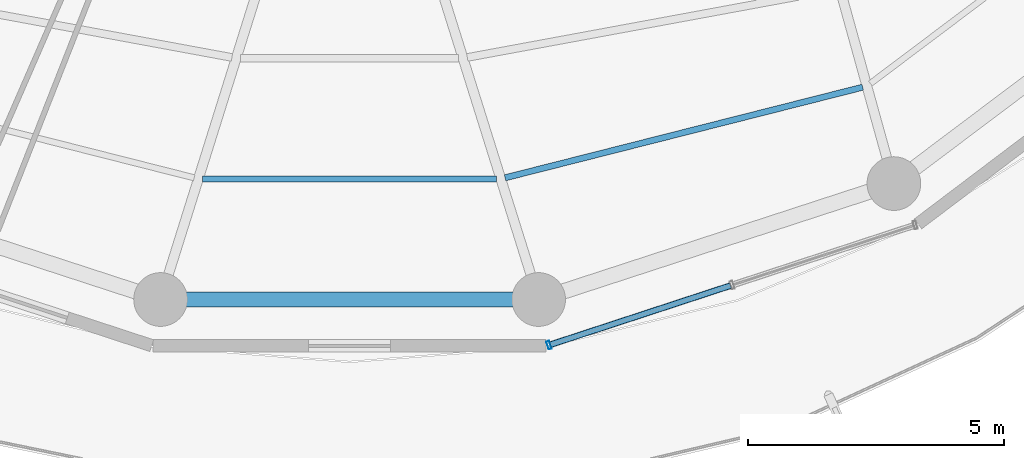
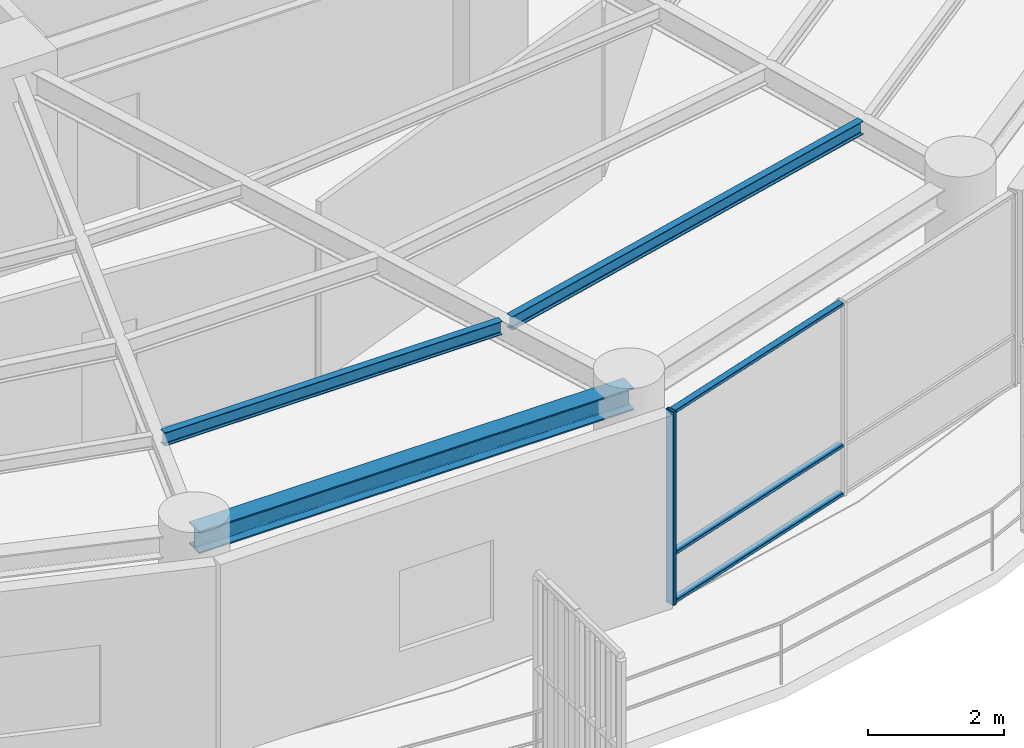
# One storey, part 4 of 31: 4 members, 3 beams, 1 element without a shape of its own.
"""IFC4 building model written with IfcOpenShell, lengths in metres."""

from ifc_helpers import new_model, si_unit, direction, frame, origin, origin_2d, place, context, subcontext, project, spatial, hollow_rectangle, i_section, extrude, material, layer, layer_set, material_profile, profile_set, type_object, element, aggregate, save


model = new_model("IFC4")

# Units and contexts
model_context = context("Model", 3, precision=1e-05, world=origin(), true_north=direction((0.0, 1.0)))
body_context = subcontext(model_context, "Body", "Model", "MODEL_VIEW")
ifc_project = project(units=[si_unit("LENGTHUNIT", "METRE"), si_unit("AREAUNIT", "SQUARE_METRE"), si_unit("VOLUMEUNIT", "CUBIC_METRE"), si_unit("PLANEANGLEUNIT", "RADIAN"), si_unit("MASSUNIT", "GRAM", prefix="KILO")], contexts=[model_context])

# Site, building, storey
site_placement = place(None, origin())
site = spatial("IfcSite", under=ifc_project, at=site_placement, CompositionType="ELEMENT")
building_placement = place(site_placement, origin())
building = spatial("IfcBuilding", under=site, at=building_placement, Name="Kelanora Arch Commons", CompositionType="ELEMENT")
storey_placement = place(building_placement, frame((0.0, 0.0, 230.699951171875)))
storey = spatial("IfcBuildingStorey", under=building, at=storey_placement, Name="L59", CompositionType="ELEMENT", Elevation=230.699951171875)

# Beams
ifc_material_1 = material(Name="Steel S355", Category="steel")
ifc_material_profile_1 = material_profile(ifc_material_1, i_section(OverallWidth=0.1201171875, OverallDepth=0.239990234375, WebThickness=0.006103515625, FlangeThickness=0.009765625, FilletRadius=0.014892578125, at=origin_2d()), Name="IPE240")
ifc_profile_set_1 = profile_set([ifc_material_profile_1], Name="Steel S355")
beam_type_1 = type_object("IfcBeamType", Name="BM-JST-02", PredefinedType="JOIST", material=ifc_profile_set_1)
beam_1_placement = place(storey_placement, frame((71.12890625, 41.56787109375, 3.3701171875), z_axis=(1.0, 0.0, 0.0), x_axis=(0.0, 1.0, 0.0)))
element("IfcBeam", 1, at=beam_1_placement, inside=storey, type_object=beam_type_1, Name="Secondary Chord Joist BJC-26 L59", PredefinedType="JOIST", context=body_context, shape_type="SweptSolid", body=[
    extrude(i_section(OverallWidth=0.1201171875, OverallDepth=0.239990234375, WebThickness=0.006103515625, FlangeThickness=0.009765625, FilletRadius=0.014892578125, at=origin_2d()), origin(), (0.0, 0.0, 1.0), 5.7421875),
])
beam_2_placement = place(storey_placement, frame((77.03857421875, 41.5888671875, 3.3701171875), z_axis=(0.969370989998, 0.245601066263, 0.0), x_axis=(-0.245601066263, 0.969370989998, 0.0)))
element("IfcBeam", 2, at=beam_2_placement, inside=storey, type_object=beam_type_1, Name="Secondary Chord Joist BJC-28 L59", PredefinedType="JOIST", context=body_context, shape_type="SweptSolid", body=[
    extrude(i_section(OverallWidth=0.1201171875, OverallDepth=0.239990234375, WebThickness=0.006103515625, FlangeThickness=0.009765625, FilletRadius=0.014892578125, at=origin_2d()), origin(), (0.0, 0.0, 1.0), 7.2119140625),
])
ifc_material_profile_2 = material_profile(ifc_material_1, i_section(OverallWidth=0.300048828125, OverallDepth=0.39990234375, WebThickness=0.013427734375, FlangeThickness=0.02392578125, FilletRadius=0.027099609375, at=origin_2d()), Name="HEB400")
ifc_profile_set_2 = profile_set([ifc_material_profile_2], Name="Steel S355")
beam_type_2 = type_object("IfcBeamType", Name="BM-SPN-Z4", PredefinedType="SPANDREL", material=ifc_profile_set_2)
beam_3_placement = place(storey_placement, frame((70.3046875, 39.2099609375, 3.2900390625), z_axis=(1.0, 0.0, 0.0), x_axis=(0.0, 1.0, 0.0)))
element("IfcBeam", 3, at=beam_3_placement, inside=storey, type_object=beam_type_2, Name="Perimeter Spandrel Beam BS-26 L59", PredefinedType="SPANDREL", context=body_context, shape_type="SweptSolid", body=[
    extrude(i_section(OverallWidth=0.300048828125, OverallDepth=0.39990234375, WebThickness=0.013427734375, FlangeThickness=0.02392578125, FilletRadius=0.027099609375, at=origin_2d()), origin(), (0.0, 0.0, 1.0), 7.390625),
])

# Curtain wall, members
ifc_material_2 = material(Name="Terracotta ceramic-fritted low-E glass and aluminium", Category="masonry")
ifc_layer = layer(ifc_material_2, 0.175048828125)
ifc_layer_set = layer_set([ifc_layer], Name="Terracotta ceramic-fritted low-E glass and aluminium")
curtain_wall_type = type_object("IfcCurtainWallType", Name="CW-SYS-02", PredefinedType="NOTDEFINED", material=ifc_layer_set)
curtain_wall_placement = place(storey_placement, origin())
curtain_wall = element("IfcCurtainWall", 4, at=curtain_wall_placement, inside=storey, type_object=curtain_wall_type, Name="Unitised Curtain Wall L59-B14", PredefinedType="NOTDEFINED")
ifc_material_3 = material(Name="Powder-coated aluminium terracotta", Category="masonry")
ifc_material_profile_3 = material_profile(ifc_material_3, hollow_rectangle(XDim=0.159912109375, YDim=0.06005859375, WallThickness=0.0048828125, InnerFilletRadius=0.0048828125, OuterFilletRadius=0.010009765625, at=origin_2d()), Name="CWM160x60")
ifc_profile_set_3 = profile_set([ifc_material_profile_3], Name="Powder-coated aluminium terracotta")
member_type_1 = type_object("IfcMemberType", Name="CWM-STD", PredefinedType="MULLION", material=ifc_profile_set_3)
member_1_placement = place(storey_placement, frame((77.897705078125, 38.31787109375, 0.0), z_axis=(0.0, 0.0, 1.0), x_axis=(-0.311582439059, 0.950219124029, 0.0)))
member_1 = element("IfcMember", 5, at=member_1_placement, type_object=member_type_1, Name="CW-02 mullion 1", PredefinedType="MULLION", context=body_context, shape_type="SweptSolid", body=[
    extrude(hollow_rectangle(XDim=0.159912109375, YDim=0.06005859375, WallThickness=0.0048828125, InnerFilletRadius=0.0048828125, OuterFilletRadius=0.010009765625, at=origin_2d()), origin(), (0.0, 0.0, 1.0), 3.47509765625),
])
ifc_material_profile_4 = material_profile(ifc_material_3, hollow_rectangle(XDim=0.1201171875, YDim=0.06005859375, WallThickness=0.0048828125, InnerFilletRadius=0.0048828125, OuterFilletRadius=0.010009765625, at=origin_2d()), Name="CWT120x60")
ifc_profile_set_4 = profile_set([ifc_material_profile_4], Name="Powder-coated aluminium terracotta")
member_type_2 = type_object("IfcMemberType", Name="CWT-STD", PredefinedType="USERDEFINED", material=ifc_profile_set_4)
member_2_placement = place(storey_placement, frame((77.92626953125, 38.3271484375, 0.030029296875), z_axis=(0.950206527055, 0.311620852867, 0.0), x_axis=(-0.311620852867, 0.950206527055, 0.0)))
member_2 = element("IfcMember", 6, at=member_2_placement, type_object=member_type_2, Name="CW-02 transom 1.1", ObjectType="TRANSOM", PredefinedType="USERDEFINED", context=body_context, shape_type="SweptSolid", body=[
    extrude(hollow_rectangle(XDim=0.1201171875, YDim=0.06005859375, WallThickness=0.0048828125, InnerFilletRadius=0.0048828125, OuterFilletRadius=0.010009765625, at=origin_2d()), origin(), (0.0, 0.0, 1.0), 3.707275390625),
])
member_3_placement = place(storey_placement, frame((77.92626953125, 38.3271484375, 0.900146484375), z_axis=(0.950206527055, 0.311620852867, 0.0), x_axis=(-0.311620852867, 0.950206527055, 0.0)))
member_3 = element("IfcMember", 7, at=member_3_placement, type_object=member_type_2, Name="CW-02 transom 1.2", ObjectType="TRANSOM", PredefinedType="USERDEFINED", context=body_context, shape_type="SweptSolid", body=[
    extrude(hollow_rectangle(XDim=0.1201171875, YDim=0.06005859375, WallThickness=0.0048828125, InnerFilletRadius=0.0048828125, OuterFilletRadius=0.010009765625, at=origin_2d()), origin(), (0.0, 0.0, 1.0), 3.707275390625),
])
member_4_placement = place(storey_placement, frame((77.92626953125, 38.3271484375, 3.445068359375), z_axis=(0.950206527055, 0.311620852867, 0.0), x_axis=(-0.311620852867, 0.950206527055, 0.0)))
member_4 = element("IfcMember", 8, at=member_4_placement, type_object=member_type_2, Name="CW-02 transom 1.3", ObjectType="TRANSOM", PredefinedType="USERDEFINED", context=body_context, shape_type="SweptSolid", body=[
    extrude(hollow_rectangle(XDim=0.1201171875, YDim=0.06005859375, WallThickness=0.0048828125, InnerFilletRadius=0.0048828125, OuterFilletRadius=0.010009765625, at=origin_2d()), origin(), (0.0, 0.0, 1.0), 3.707275390625),
])
aggregate(curtain_wall, [member_1, member_2, member_3, member_4])

save(model, "model.ifc")
